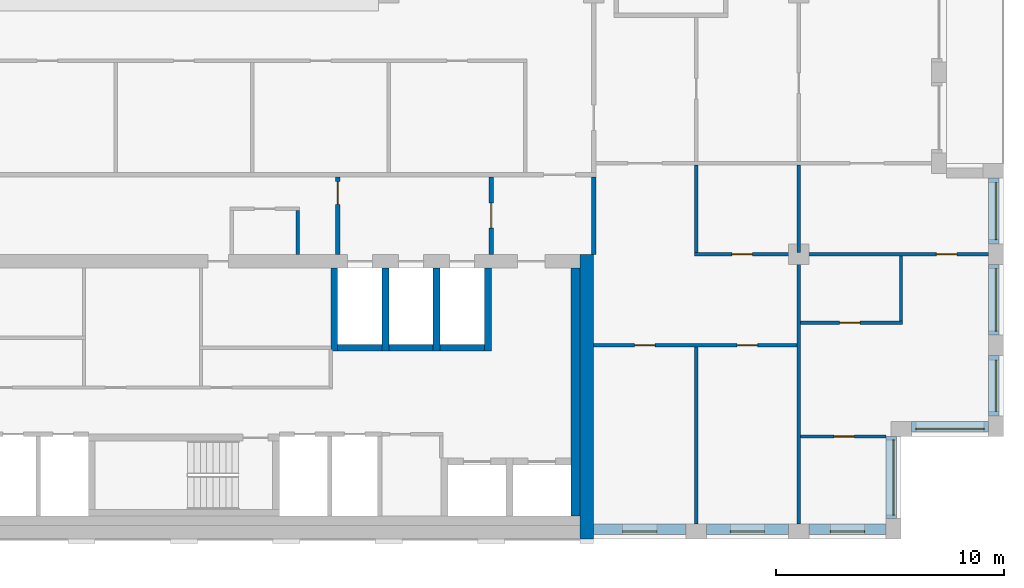
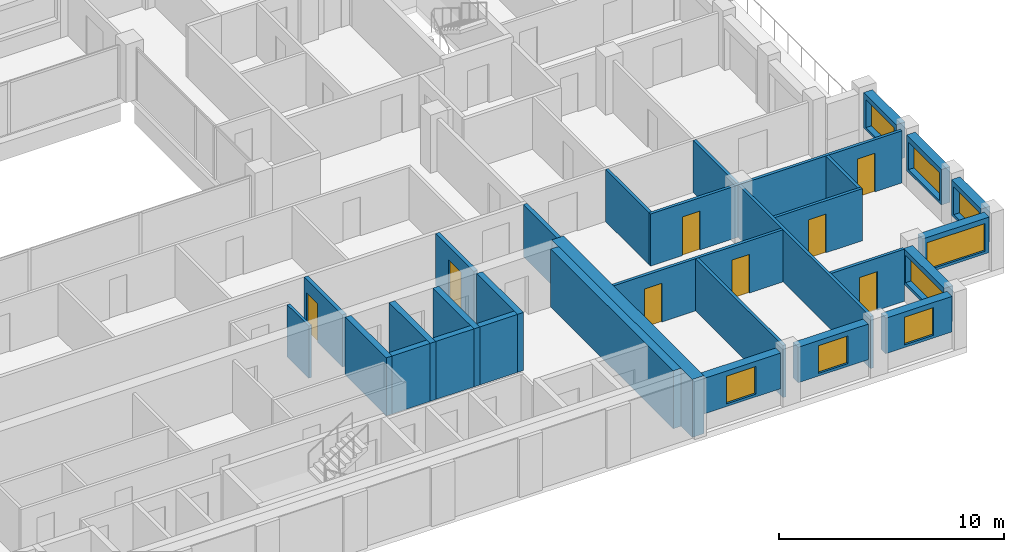
# One storey, part 11 of 16: 30 walls, 8 doors, 8 windows, 16 openings.
"""IFC4 building model written with IfcOpenShell, lengths in metres."""

from ifc_helpers import new_model, si_unit, direction, frame, frame_2d, origin, place, context, subcontext, project, spatial, rectangle, extrude, material, layer, layer_set, type_object, element, fill, save


model = new_model("IFC4")

# Units and contexts
model_context = context("Model", 3, precision=1e-05, world=origin(), true_north=direction((0.0, 1.0)))
body_context = subcontext(model_context, "Body", "Model", "MODEL_VIEW")
ifc_project = project(units=[si_unit("LENGTHUNIT", "METRE"), si_unit("AREAUNIT", "SQUARE_METRE"), si_unit("VOLUMEUNIT", "CUBIC_METRE"), si_unit("PLANEANGLEUNIT", "RADIAN"), si_unit("MASSUNIT", "GRAM", prefix="KILO")], contexts=[model_context])

# Site, building, storey
site_placement = place(None, origin())
site = spatial("IfcSite", under=ifc_project, at=site_placement, CompositionType="ELEMENT")
building_placement = place(site_placement, origin())
building = spatial("IfcBuilding", under=site, at=building_placement, Name="Brigalow Station Residences", CompositionType="ELEMENT")
storey_placement = place(building_placement, frame((0.0, 0.0, 198.0)))
storey = spatial("IfcBuildingStorey", under=building, at=storey_placement, Name="L56", CompositionType="ELEMENT", Elevation=198.0)

# Wall, opening, window
ifc_material_1 = material(Name="Clay brick masonry", Category="masonry")
ifc_layer_1 = layer(ifc_material_1, 0.449951171875)
ifc_layer_set_1 = layer_set([ifc_layer_1], Name="BRICK INFILL WALL 450")
wall_type_1 = type_object("IfcWallType", Name="BRICK INFILL WALL 450", PredefinedType="SOLIDWALL", material=ifc_layer_set_1)
wall_1_placement = place(storey_placement, frame((54.0, 0.425048828125, 0.89990234375), z_axis=(0.0, 0.0, 1.0), x_axis=(1.0, 0.0, 0.0)))
wall_1 = element("IfcWall", 1, at=wall_1_placement, inside=storey, type_object=wall_type_1, Name="L56/ewall/W-L56-3", PredefinedType="SOLIDWALL", context=body_context, shape_type="SweptSolid", body=[
    extrude(rectangle(XDim=4.050048828125, YDim=0.449951171875, at=frame_2d((2.02490234375, 0.0))), origin(), (0.0, 0.0, 1.0), 1.93017578125),
])
opening_1_placement = place(wall_1_placement, frame((1.27490234375, 0.0, 0.14990234375)))
opening_1 = element("IfcOpeningElement", 2, at=opening_1_placement, cuts=wall_1, Name="Opening WT-1", PredefinedType="OPENING", context=body_context, shape_type="SweptSolid", body=[
    extrude(rectangle(XDim=1.5, YDim=1.5, at=frame_2d((0.75, 0.75))), frame((0.0, 0.23486328125, 0.0), z_axis=(0.0, -1.0, 0.0), x_axis=(1.0, 0.0, 0.0)), (0.0, 0.0, 1.0), 0.469970703125),
])
ifc_material_2 = material(Name="Anodised aluminium frame with double glazing", Category="aluminium")
window_type_1 = type_object("IfcWindowType", Name="WINDOW 1500x1500", PartitioningType="SINGLE_PANEL", PredefinedType="WINDOW", material=ifc_material_2)
window_1_placement = place(opening_1_placement, origin())
window_1 = element("IfcWindow", 3, at=window_1_placement, inside=storey, type_object=window_type_1, Name="L56/window/W-L56-3", OverallHeight=1.5, OverallWidth=1.5, PartitioningType="SINGLE_PANEL", PredefinedType="WINDOW", context=body_context, shape_type="SweptSolid", body=[
    extrude(rectangle(XDim=1.5, YDim=1.5, at=frame_2d((0.75, 0.75))), frame((0.0, -0.06494140625, 0.0), z_axis=(0.0, -1.0, 0.0), x_axis=(1.0, 0.0, 0.0)), (0.0, 0.0, 1.0), 0.06005859375),
])
fill(opening_1, window_1)

wall_2_placement = place(storey_placement, frame((58.949951171875, 0.425048828125, 0.89990234375), z_axis=(0.0, 0.0, 1.0), x_axis=(1.0, 0.0, 0.0)))
wall_2 = element("IfcWall", 4, at=wall_2_placement, inside=storey, type_object=wall_type_1, Name="L56/ewall/W-L56-4", PredefinedType="SOLIDWALL", context=body_context, shape_type="SweptSolid", body=[
    extrude(rectangle(XDim=3.60009765625, YDim=0.449951171875, at=frame_2d((1.800048828125, 0.0))), origin(), (0.0, 0.0, 1.0), 1.93017578125),
])
opening_2_placement = place(wall_2_placement, frame((1.050048828125, 0.0, 0.14990234375)))
opening_2 = element("IfcOpeningElement", 5, at=opening_2_placement, cuts=wall_2, Name="Opening WT-1", PredefinedType="OPENING", context=body_context, shape_type="SweptSolid", body=[
    extrude(rectangle(XDim=1.5, YDim=1.5, at=frame_2d((0.75, 0.75))), frame((0.0, 0.23486328125, 0.0), z_axis=(0.0, -1.0, 0.0), x_axis=(1.0, 0.0, 0.0)), (0.0, 0.0, 1.0), 0.469970703125),
])
window_2_placement = place(opening_2_placement, origin())
window_2 = element("IfcWindow", 6, at=window_2_placement, inside=storey, type_object=window_type_1, Name="L56/window/W-L56-4", OverallHeight=1.5, OverallWidth=1.5, PartitioningType="SINGLE_PANEL", PredefinedType="WINDOW", context=body_context, shape_type="SweptSolid", body=[
    extrude(rectangle(XDim=1.5, YDim=1.5, at=frame_2d((0.75, 0.75))), frame((0.0, -0.06494140625, 0.0), z_axis=(0.0, -1.0, 0.0), x_axis=(1.0, 0.0, 0.0)), (0.0, 0.0, 1.0), 0.06005859375),
])
fill(opening_2, window_2)

wall_3_placement = place(storey_placement, frame((63.449951171875, 0.425048828125, 0.89990234375), z_axis=(0.0, 0.0, 1.0), x_axis=(1.0, 0.0, 0.0)))
wall_3 = element("IfcWall", 7, at=wall_3_placement, inside=storey, type_object=wall_type_1, Name="L56/ewall/W-L56-5", PredefinedType="SOLIDWALL", context=body_context, shape_type="SweptSolid", body=[
    extrude(rectangle(XDim=3.400146484375, YDim=0.449951171875, at=frame_2d((1.7001953125, 0.0))), origin(), (0.0, 0.0, 1.0), 1.93017578125),
])
opening_3_placement = place(wall_3_placement, frame((0.949951171875, 0.0, 0.14990234375)))
opening_3 = element("IfcOpeningElement", 8, at=opening_3_placement, cuts=wall_3, Name="Opening WT-1", PredefinedType="OPENING", context=body_context, shape_type="SweptSolid", body=[
    extrude(rectangle(XDim=1.5, YDim=1.5, at=frame_2d((0.75, 0.75))), frame((0.0, 0.23486328125, 0.0), z_axis=(0.0, -1.0, 0.0), x_axis=(1.0, 0.0, 0.0)), (0.0, 0.0, 1.0), 0.469970703125),
])
window_3_placement = place(opening_3_placement, origin())
window_3 = element("IfcWindow", 9, at=window_3_placement, inside=storey, type_object=window_type_1, Name="L56/window/W-L56-5", OverallHeight=1.5, OverallWidth=1.5, PartitioningType="SINGLE_PANEL", PredefinedType="WINDOW", context=body_context, shape_type="SweptSolid", body=[
    extrude(rectangle(XDim=1.5, YDim=1.5, at=frame_2d((0.75, 0.75))), frame((0.0, -0.06494140625, 0.0), z_axis=(0.0, -1.0, 0.0), x_axis=(1.0, 0.0, 0.0)), (0.0, 0.0, 1.0), 0.06005859375),
])
fill(opening_3, window_3)

wall_4_placement = place(storey_placement, frame((67.074951171875, 0.89990234375, 0.89990234375), z_axis=(0.0, 0.0, 1.0), x_axis=(0.0, 1.0, 0.0)))
wall_4 = element("IfcWall", 10, at=wall_4_placement, inside=storey, type_object=wall_type_1, Name="L56/ewall/W-L56-6", PredefinedType="SOLIDWALL", context=body_context, shape_type="SweptSolid", body=[
    extrude(rectangle(XDim=3.60009765625, YDim=0.449951171875, at=frame_2d((1.800048828125, 0.0))), origin(), (0.0, 0.0, 1.0), 1.93017578125),
])
opening_4_placement = place(wall_4_placement, frame((0.14990234375, 0.0, 0.14990234375)))
opening_4 = element("IfcOpeningElement", 11, at=opening_4_placement, cuts=wall_4, Name="Opening WT-10", PredefinedType="OPENING", context=body_context, shape_type="SweptSolid", body=[
    extrude(rectangle(XDim=3.300048828125, YDim=1.5, at=frame_2d((1.64990234375, 0.75))), frame((0.0, 0.23486328125, 0.0), z_axis=(0.0, -1.0, 0.0), x_axis=(1.0, 0.0, 0.0)), (0.0, 0.0, 1.0), 0.469970703125),
])
ifc_material_3 = material(Name="Anodised aluminium frame with double glazing", Category="aluminium")
window_type_2 = type_object("IfcWindowType", Name="WINDOW 3300x1500", PartitioningType="SINGLE_PANEL", PredefinedType="WINDOW", material=ifc_material_3)
window_4_placement = place(opening_4_placement, origin())
window_4 = element("IfcWindow", 12, at=window_4_placement, inside=storey, type_object=window_type_2, Name="L56/window/W-L56-6", OverallHeight=1.5, OverallWidth=3.300048828125, PartitioningType="SINGLE_PANEL", PredefinedType="WINDOW", context=body_context, shape_type="SweptSolid", body=[
    extrude(rectangle(XDim=3.300048828125, YDim=1.5, at=frame_2d((1.64990234375, 0.75))), frame((0.0, -0.06494140625, 0.0), z_axis=(0.0, -1.0, 0.0), x_axis=(1.0, 0.0, 0.0)), (0.0, 0.0, 1.0), 0.06005859375),
])
fill(opening_4, window_4)

wall_5_placement = place(storey_placement, frame((67.949951171875, 4.925048828125, 0.89990234375), z_axis=(0.0, 0.0, 1.0), x_axis=(1.0, 0.0, 0.0)))
wall_5 = element("IfcWall", 13, at=wall_5_placement, inside=storey, type_object=wall_type_1, Name="L56/ewall/W-L56-7", PredefinedType="SOLIDWALL", context=body_context, shape_type="SweptSolid", body=[
    extrude(rectangle(XDim=3.400146484375, YDim=0.449951171875, at=frame_2d((1.7001953125, 0.0))), origin(), (0.0, 0.0, 1.0), 1.93017578125),
])
opening_5_placement = place(wall_5_placement, frame((0.199951171875, 0.0, 0.14990234375)))
opening_5 = element("IfcOpeningElement", 14, at=opening_5_placement, cuts=wall_5, Name="Opening WT-2", PredefinedType="OPENING", context=body_context, shape_type="SweptSolid", body=[
    extrude(rectangle(XDim=3.0, YDim=1.5, at=frame_2d((1.5, 0.75))), frame((0.0, 0.23486328125, 0.0), z_axis=(0.0, -1.0, 0.0), x_axis=(1.0, 0.0, 0.0)), (0.0, 0.0, 1.0), 0.469970703125),
])
ifc_material_4 = material(Name="Anodised aluminium frame with double glazing", Category="aluminium")
window_type_3 = type_object("IfcWindowType", Name="WINDOW 3000x1500", PartitioningType="SINGLE_PANEL", PredefinedType="WINDOW", material=ifc_material_4)
window_5_placement = place(opening_5_placement, origin())
window_5 = element("IfcWindow", 15, at=window_5_placement, inside=storey, type_object=window_type_3, Name="L56/window/W-L56-7", OverallHeight=1.5, OverallWidth=3.0, PartitioningType="SINGLE_PANEL", PredefinedType="WINDOW", context=body_context, shape_type="SweptSolid", body=[
    extrude(rectangle(XDim=3.0, YDim=1.5, at=frame_2d((1.5, 0.75))), frame((0.0, -0.06494140625, 0.0), z_axis=(0.0, -1.0, 0.0), x_axis=(1.0, 0.0, 0.0)), (0.0, 0.0, 1.0), 0.06005859375),
])
fill(opening_5, window_5)

wall_6_placement = place(storey_placement, frame((71.574951171875, 5.39990234375, 0.89990234375), z_axis=(0.0, 0.0, 1.0), x_axis=(0.0, 1.0, 0.0)))
wall_6 = element("IfcWall", 16, at=wall_6_placement, inside=storey, type_object=wall_type_1, Name="L56/ewall/W-L56-8", PredefinedType="SOLIDWALL", context=body_context, shape_type="SweptSolid", body=[
    extrude(rectangle(XDim=2.650146484375, YDim=0.449951171875, at=frame_2d((1.3251953125, 0.0))), origin(), (0.0, 0.0, 1.0), 1.93017578125),
])
opening_6_placement = place(wall_6_placement, frame((0.199951171875, 0.0, 0.14990234375)))
opening_6 = element("IfcOpeningElement", 17, at=opening_6_placement, cuts=wall_6, Name="Opening WT-6", PredefinedType="OPENING", context=body_context, shape_type="SweptSolid", body=[
    extrude(rectangle(XDim=2.25, YDim=1.5, at=frame_2d((1.125, 0.75))), frame((0.0, 0.23486328125, 0.0), z_axis=(0.0, -1.0, 0.0), x_axis=(1.0, 0.0, 0.0)), (0.0, 0.0, 1.0), 0.469970703125),
])
ifc_material_5 = material(Name="Anodised aluminium frame with double glazing", Category="aluminium")
window_type_4 = type_object("IfcWindowType", Name="WINDOW 2250x1500", PartitioningType="SINGLE_PANEL", PredefinedType="WINDOW", material=ifc_material_5)
window_6_placement = place(opening_6_placement, origin())
window_6 = element("IfcWindow", 18, at=window_6_placement, inside=storey, type_object=window_type_4, Name="L56/window/W-L56-8", OverallHeight=1.5, OverallWidth=2.25, PartitioningType="SINGLE_PANEL", PredefinedType="WINDOW", context=body_context, shape_type="SweptSolid", body=[
    extrude(rectangle(XDim=2.25, YDim=1.5, at=frame_2d((1.125, 0.75))), frame((0.0, -0.06494140625, 0.0), z_axis=(0.0, -1.0, 0.0), x_axis=(1.0, 0.0, 0.0)), (0.0, 0.0, 1.0), 0.06005859375),
])
fill(opening_6, window_6)

wall_7_placement = place(storey_placement, frame((71.574951171875, 8.949951171875, 0.89990234375), z_axis=(0.0, 0.0, 1.0), x_axis=(0.0, 1.0, 0.0)))
wall_7 = element("IfcWall", 19, at=wall_7_placement, inside=storey, type_object=wall_type_1, Name="L56/ewall/W-L56-9", PredefinedType="SOLIDWALL", context=body_context, shape_type="SweptSolid", body=[
    extrude(rectangle(XDim=3.10009765625, YDim=0.449951171875, at=frame_2d((1.550048828125, 0.0))), origin(), (0.0, 0.0, 1.0), 1.93017578125),
])
opening_7_placement = place(wall_7_placement, frame((0.175048828125, 0.0, 0.14990234375)))
opening_7 = element("IfcOpeningElement", 20, at=opening_7_placement, cuts=wall_7, Name="Opening WT-3", PredefinedType="OPENING", context=body_context, shape_type="SweptSolid", body=[
    extrude(rectangle(XDim=2.75, YDim=1.5, at=frame_2d((1.375, 0.75))), frame((0.0, 0.23486328125, 0.0), z_axis=(0.0, -1.0, 0.0), x_axis=(1.0, 0.0, 0.0)), (0.0, 0.0, 1.0), 0.469970703125),
])
ifc_material_6 = material(Name="Anodised aluminium frame with double glazing", Category="aluminium")
window_type_5 = type_object("IfcWindowType", Name="WINDOW 2750x1500", PartitioningType="SINGLE_PANEL", PredefinedType="WINDOW", material=ifc_material_6)
window_7_placement = place(opening_7_placement, origin())
window_7 = element("IfcWindow", 21, at=window_7_placement, inside=storey, type_object=window_type_5, Name="L56/window/W-L56-9", OverallHeight=1.5, OverallWidth=2.75, PartitioningType="SINGLE_PANEL", PredefinedType="WINDOW", context=body_context, shape_type="SweptSolid", body=[
    extrude(rectangle(XDim=2.75, YDim=1.5, at=frame_2d((1.375, 0.75))), frame((0.0, -0.06494140625, 0.0), z_axis=(0.0, -1.0, 0.0), x_axis=(1.0, 0.0, 0.0)), (0.0, 0.0, 1.0), 0.06005859375),
])
fill(opening_7, window_7)

wall_8_placement = place(storey_placement, frame((71.574951171875, 12.949951171875, 0.89990234375), z_axis=(0.0, 0.0, 1.0), x_axis=(0.0, 1.0, 0.0)))
wall_8 = element("IfcWall", 22, at=wall_8_placement, inside=storey, type_object=wall_type_1, Name="L56/ewall/W-L56-10", PredefinedType="SOLIDWALL", context=body_context, shape_type="SweptSolid", body=[
    extrude(rectangle(XDim=2.900146484375, YDim=0.449951171875, at=frame_2d((1.4501953125, 0.0))), origin(), (0.0, 0.0, 1.0), 1.93017578125),
])
opening_8_placement = place(wall_8_placement, frame((0.199951171875, 0.0, 0.14990234375)))
opening_8 = element("IfcOpeningElement", 23, at=opening_8_placement, cuts=wall_8, Name="Opening WT-5", PredefinedType="OPENING", context=body_context, shape_type="SweptSolid", body=[
    extrude(rectangle(XDim=2.5, YDim=1.5, at=frame_2d((1.25, 0.75))), frame((0.0, 0.23486328125, 0.0), z_axis=(0.0, -1.0, 0.0), x_axis=(1.0, 0.0, 0.0)), (0.0, 0.0, 1.0), 0.469970703125),
])
ifc_material_7 = material(Name="Anodised aluminium frame with double glazing", Category="aluminium")
window_type_6 = type_object("IfcWindowType", Name="WINDOW 2500x1500", PartitioningType="SINGLE_PANEL", PredefinedType="WINDOW", material=ifc_material_7)
window_8_placement = place(opening_8_placement, origin())
window_8 = element("IfcWindow", 24, at=window_8_placement, inside=storey, type_object=window_type_6, Name="L56/window/W-L56-10", OverallHeight=1.5, OverallWidth=2.5, PartitioningType="SINGLE_PANEL", PredefinedType="WINDOW", context=body_context, shape_type="SweptSolid", body=[
    extrude(rectangle(XDim=2.5, YDim=1.5, at=frame_2d((1.25, 0.75))), frame((0.0, -0.06494140625, 0.0), z_axis=(0.0, -1.0, 0.0), x_axis=(1.0, 0.0, 0.0)), (0.0, 0.0, 1.0), 0.06005859375),
])
fill(opening_8, window_8)

# Walls
ifc_material_8 = material(Name="Concrete C50", Category="concrete")
ifc_layer_2 = layer(ifc_material_8, 0.300048828125)
ifc_layer_set_2 = layer_set([ifc_layer_2], Name="CORE SHEAR WALL 300 C50")
wall_type_2 = type_object("IfcWallType", Name="CORE SHEAR WALL 300 C50", PredefinedType="SHEAR", material=ifc_layer_set_2)
wall_9_placement = place(storey_placement, frame((42.75, 8.39990234375, 0.0), z_axis=(0.0, 0.0, 1.0), x_axis=(1.0, 0.0, 0.0)))
element("IfcWall", 25, at=wall_9_placement, inside=storey, type_object=wall_type_2, Name="CORE WALL SH-FF1-S L56", PredefinedType="SHEAR", context=body_context, shape_type="SweptSolid", body=[
    extrude(rectangle(XDim=1.949951171875, YDim=0.300048828125, at=frame_2d((0.97509765625, 0.0))), origin(), (0.0, 0.0, 1.0), 3.14990234375),
])
wall_10_placement = place(storey_placement, frame((42.60009765625, 8.25, 0.0), z_axis=(0.0, 0.0, 1.0), x_axis=(0.0, 1.0, 0.0)))
element("IfcWall", 26, at=wall_10_placement, inside=storey, type_object=wall_type_2, Name="CORE WALL SH-FF1-W L56", PredefinedType="SHEAR", context=body_context, shape_type="SweptSolid", body=[
    extrude(rectangle(XDim=3.64990234375, YDim=0.300048828125, at=frame_2d((1.824951171875, 0.0))), origin(), (0.0, 0.0, 1.0), 3.14990234375),
])
wall_11_placement = place(storey_placement, frame((45.0, 8.39990234375, 0.0), z_axis=(0.0, 0.0, 1.0), x_axis=(1.0, 0.0, 0.0)))
element("IfcWall", 27, at=wall_11_placement, inside=storey, type_object=wall_type_2, Name="CORE WALL SH-FF2-S L56", PredefinedType="SHEAR", context=body_context, shape_type="SweptSolid", body=[
    extrude(rectangle(XDim=1.949951171875, YDim=0.300048828125, at=frame_2d((0.97509765625, 0.0))), origin(), (0.0, 0.0, 1.0), 3.14990234375),
])
wall_12_placement = place(storey_placement, frame((44.85009765625, 8.25, 0.0), z_axis=(0.0, 0.0, 1.0), x_axis=(0.0, 1.0, 0.0)))
element("IfcWall", 28, at=wall_12_placement, inside=storey, type_object=wall_type_2, Name="CORE WALL SH-FF2-W L56", PredefinedType="SHEAR", context=body_context, shape_type="SweptSolid", body=[
    extrude(rectangle(XDim=3.64990234375, YDim=0.300048828125, at=frame_2d((1.824951171875, 0.0))), origin(), (0.0, 0.0, 1.0), 3.14990234375),
])
wall_13_placement = place(storey_placement, frame((47.25, 8.39990234375, 0.0), z_axis=(0.0, 0.0, 1.0), x_axis=(1.0, 0.0, 0.0)))
element("IfcWall", 29, at=wall_13_placement, inside=storey, type_object=wall_type_2, Name="CORE WALL SH-SL1-S L56", PredefinedType="SHEAR", context=body_context, shape_type="SweptSolid", body=[
    extrude(rectangle(XDim=1.949951171875, YDim=0.300048828125, at=frame_2d((0.97509765625, 0.0))), origin(), (0.0, 0.0, 1.0), 3.14990234375),
])
for number, where, z_axis, x_axis, name in (
    (30, (47.10009765625, 8.25, 0.0), (0.0, 0.0, 1.0), (0.0, 1.0, 0.0), "CORE WALL SH-SL1-W L56"),
    (31, (49.35009765625, 8.25, 0.0), (0.0, 0.0, 1.0), (0.0, 1.0, 0.0), "CORE WALL SH-SL1-E L56"),
):
    element("IfcWall", number, at=place(storey_placement, frame(where, z_axis=z_axis, x_axis=x_axis)), inside=storey, type_object=wall_type_2, Name=name, PredefinedType="SHEAR", context=body_context, shape_type="SweptSolid", body=[
        extrude(rectangle(XDim=3.64990234375, YDim=0.300048828125, at=frame_2d((1.824951171875, 0.0))), origin(), (0.0, 0.0, 1.0), 3.14990234375),
    ])
ifc_material_9 = material(Name="Concrete C50", Category="concrete")
ifc_layer_3 = layer(ifc_material_9, 0.39990234375)
ifc_layer_set_3 = layer_set([ifc_layer_3], Name="CORE SHEAR WALL 400 C50")
wall_type_3 = type_object("IfcWallType", Name="CORE SHEAR WALL 400 C50", PredefinedType="SHEAR", material=ifc_layer_set_3)
wall_14_placement = place(storey_placement, frame((53.199951171875, 1.0, 0.0), z_axis=(0.0, 0.0, 1.0), x_axis=(0.0, 1.0, 0.0)))
element("IfcWall", 32, at=wall_14_placement, inside=storey, type_object=wall_type_3, Name="CORE WALL LIN-E L56", PredefinedType="SHEAR", context=body_context, shape_type="SweptSolid", body=[
    extrude(rectangle(XDim=10.89990234375, YDim=0.39990234375, at=frame_2d((5.449951171875, 0.0))), origin(), (0.0, 0.0, 1.0), 3.14990234375),
])
ifc_material_10 = material(Name="Concrete C50", Category="concrete")
ifc_layer_4 = layer(ifc_material_10, 0.60009765625)
ifc_layer_set_4 = layer_set([ifc_layer_4], Name="CORE SHEAR WALL 600 C50")
wall_type_4 = type_object("IfcWallType", Name="CORE SHEAR WALL 600 C50", PredefinedType="SHEAR", material=ifc_layer_set_4)
wall_15_placement = place(storey_placement, frame((53.699951171875, 0.0, 0.0), z_axis=(0.0, 0.0, 1.0), x_axis=(0.0, 1.0, 0.0)))
element("IfcWall", 33, at=wall_15_placement, inside=storey, type_object=wall_type_4, Name="CORE WALL OUT-E L56", PredefinedType="SHEAR", context=body_context, shape_type="SweptSolid", body=[
    extrude(rectangle(XDim=12.5, YDim=0.60009765625, at=frame_2d((6.25, 0.0))), origin(), (0.0, 0.0, 1.0), 3.14990234375),
])

# Wall, opening, door
ifc_material_11 = material(Name="Concrete blockwork", Category="masonry")
ifc_layer_5 = layer(ifc_material_11, 0.199951171875)
ifc_layer_set_5 = layer_set([ifc_layer_5], Name="FIRE RATED CORE PARTITION 200")
wall_type_5 = type_object("IfcWallType", Name="FIRE RATED CORE PARTITION 200", PredefinedType="PARTITIONING", material=ifc_layer_set_5)
wall_16_placement = place(storey_placement, frame((42.75, 12.5, 0.0), z_axis=(0.0, 0.0, 1.0), x_axis=(0.0, 1.0, 0.0)))
wall_16 = element("IfcWall", 34, at=wall_16_placement, inside=storey, type_object=wall_type_5, Name="PW-5014", PredefinedType="PARTITIONING", context=body_context, shape_type="SweptSolid", body=[
    extrude(rectangle(XDim=3.39990234375, YDim=0.199951171875, at=frame_2d((1.699951171875, 0.0))), origin(), (0.0, 0.0, 1.0), 2.830078125),
])
opening_9_placement = place(wall_16_placement, frame((2.199951171875, 0.0, 0.0)))
opening_9 = element("IfcOpeningElement", 35, at=opening_9_placement, cuts=wall_16, Name="Opening D-5013", PredefinedType="OPENING", context=body_context, shape_type="SweptSolid", body=[
    extrude(rectangle(XDim=1.0, YDim=2.10009765625, at=frame_2d((0.5, 1.050048828125))), frame((0.0, 0.10986328125, 0.0), z_axis=(0.0, -1.0, 0.0), x_axis=(1.0, 0.0, 0.0)), (0.0, 0.0, 1.0), 0.219970703125),
])
ifc_material_12 = material(Name="Steel fire door leaf in steel frame", Category="steel")
door_type_1 = type_object("IfcDoorType", Name="LOBBY DOOR 1000 x 2100 FD60S", OperationType="SINGLE_SWING_LEFT", PredefinedType="DOOR", material=ifc_material_12)
door_1_placement = place(opening_9_placement, origin())
door_1 = element("IfcDoor", 36, at=door_1_placement, inside=storey, type_object=door_type_1, Name="D-5013", OperationType="SINGLE_SWING_RIGHT", OverallHeight=2.10009765625, OverallWidth=1.0, PredefinedType="DOOR", context=body_context, shape_type="SweptSolid", body=[
    extrude(rectangle(XDim=1.0, YDim=2.10009765625, at=frame_2d((0.5, 1.050048828125))), frame((0.0, 0.02490234375, 0.0), z_axis=(0.0, -1.0, 0.0), x_axis=(1.0, 0.0, 0.0)), (0.0, 0.0, 1.0), 0.050048828125),
])
fill(opening_9, door_1)

wall_17_placement = place(storey_placement, frame((49.5, 12.5, 0.0), z_axis=(0.0, 0.0, 1.0), x_axis=(0.0, 1.0, 0.0)))
wall_17 = element("IfcWall", 37, at=wall_17_placement, inside=storey, type_object=wall_type_5, Name="PW-5015", PredefinedType="PARTITIONING", context=body_context, shape_type="SweptSolid", body=[
    extrude(rectangle(XDim=3.39990234375, YDim=0.199951171875, at=frame_2d((1.699951171875, 0.0))), origin(), (0.0, 0.0, 1.0), 2.830078125),
])
opening_10_placement = place(wall_17_placement, frame((1.14990234375, 0.0, 0.0)))
opening_10 = element("IfcOpeningElement", 38, at=opening_10_placement, cuts=wall_17, Name="Opening D-5014", PredefinedType="OPENING", context=body_context, shape_type="SweptSolid", body=[
    extrude(rectangle(XDim=1.10009765625, YDim=2.10009765625, at=frame_2d((0.550048828125, 1.050048828125))), frame((0.0, 0.10986328125, 0.0), z_axis=(0.0, -1.0, 0.0), x_axis=(1.0, 0.0, 0.0)), (0.0, 0.0, 1.0), 0.219970703125),
])
ifc_material_13 = material(Name="Steel fire door leaf in steel frame", Category="steel")
door_type_2 = type_object("IfcDoorType", Name="LOBBY DOOR 1100 x 2100 FD60S", OperationType="SINGLE_SWING_LEFT", PredefinedType="DOOR", material=ifc_material_13)
door_2_placement = place(opening_10_placement, origin())
door_2 = element("IfcDoor", 39, at=door_2_placement, inside=storey, type_object=door_type_2, Name="D-5014", OperationType="SINGLE_SWING_LEFT", OverallHeight=2.10009765625, OverallWidth=1.10009765625, PredefinedType="DOOR", context=body_context, shape_type="SweptSolid", body=[
    extrude(rectangle(XDim=1.10009765625, YDim=2.10009765625, at=frame_2d((0.550048828125, 1.050048828125))), frame((0.0, 0.02490234375, 0.0), z_axis=(0.0, -1.0, 0.0), x_axis=(1.0, 0.0, 0.0)), (0.0, 0.0, 1.0), 0.050048828125),
])
fill(opening_10, door_2)

# Wall
wall_18_placement = place(storey_placement, frame((54.0, 12.5, 0.0), z_axis=(0.0, 0.0, 1.0), x_axis=(0.0, 1.0, 0.0)))
element("IfcWall", 40, at=wall_18_placement, inside=storey, type_object=wall_type_5, Name="PW-5016", PredefinedType="PARTITIONING", context=body_context, shape_type="SweptSolid", body=[
    extrude(rectangle(XDim=3.39990234375, YDim=0.199951171875, at=frame_2d((1.699951171875, 0.0))), origin(), (0.0, 0.0, 1.0), 2.830078125),
])

# Wall, openings, doors
ifc_material_14 = material(Name="Plasterboard on steel stud partition", Category="steel")
ifc_layer_6 = layer(ifc_material_14, 0.14990234375)
ifc_layer_set_6 = layer_set([ifc_layer_6], Name="FLAT PARTITION 150")
wall_type_6 = type_object("IfcWallType", Name="FLAT PARTITION 150", PredefinedType="PARTITIONING", material=ifc_layer_set_6)
wall_19_placement = place(storey_placement, frame((58.425048828125, 12.5, 0.0), z_axis=(0.0, 0.0, 1.0), x_axis=(1.0, 0.0, 0.0)))
wall_19 = element("IfcWall", 41, at=wall_19_placement, inside=storey, type_object=wall_type_6, Name="PW-4A13", PredefinedType="PARTITIONING", context=body_context, shape_type="SweptSolid", body=[
    extrude(rectangle(XDim=12.925048828125, YDim=0.14990234375, at=frame_2d((6.46240234375, 0.0))), origin(), (0.0, 0.0, 1.0), 2.830078125),
])
opening_11_placement = place(wall_19_placement, frame((1.64990234375, 0.0, 0.0)))
opening_11 = element("IfcOpeningElement", 42, at=opening_11_placement, cuts=wall_19, Name="Opening D-4A36", PredefinedType="OPENING", context=body_context, shape_type="SweptSolid", body=[
    extrude(rectangle(XDim=0.89990234375, YDim=2.10009765625, at=frame_2d((0.449951171875, 1.050048828125))), frame((0.0, 0.0849609375, 0.0), z_axis=(0.0, -1.0, 0.0), x_axis=(1.0, 0.0, 0.0)), (0.0, 0.0, 1.0), 0.169921875),
])
opening_12_placement = place(wall_19_placement, frame((10.625, 0.0, 0.0)))
opening_12 = element("IfcOpeningElement", 43, at=opening_12_placement, cuts=wall_19, Name="Opening D-4A37", PredefinedType="OPENING", context=body_context, shape_type="SweptSolid", body=[
    extrude(rectangle(XDim=0.89990234375, YDim=2.10009765625, at=frame_2d((0.449951171875, 1.050048828125))), frame((0.0, 0.0849609375, 0.0), z_axis=(0.0, -1.0, 0.0), x_axis=(1.0, 0.0, 0.0)), (0.0, 0.0, 1.0), 0.169921875),
])
ifc_material_15 = material(Name="Solid-core timber door leaf", Category="wood")
door_type_3 = type_object("IfcDoorType", Name="INTERNAL DOOR 900 x 2100", OperationType="SINGLE_SWING_LEFT", PredefinedType="DOOR", material=ifc_material_15)
door_3_placement = place(opening_11_placement, origin())
door_3 = element("IfcDoor", 44, at=door_3_placement, inside=storey, type_object=door_type_3, Name="D-4A36", OperationType="SINGLE_SWING_LEFT", OverallHeight=2.10009765625, OverallWidth=0.89990234375, PredefinedType="DOOR", context=body_context, shape_type="SweptSolid", body=[
    extrude(rectangle(XDim=0.89990234375, YDim=2.10009765625, at=frame_2d((0.449951171875, 1.050048828125))), frame((0.0, 0.02490234375, 0.0), z_axis=(0.0, -1.0, 0.0), x_axis=(1.0, 0.0, 0.0)), (0.0, 0.0, 1.0), 0.050048828125),
])
fill(opening_11, door_3)
door_4_placement = place(opening_12_placement, origin())
door_4 = element("IfcDoor", 45, at=door_4_placement, inside=storey, type_object=door_type_3, Name="D-4A37", OperationType="SINGLE_SWING_RIGHT", OverallHeight=2.10009765625, OverallWidth=0.89990234375, PredefinedType="DOOR", context=body_context, shape_type="SweptSolid", body=[
    extrude(rectangle(XDim=0.89990234375, YDim=2.10009765625, at=frame_2d((0.449951171875, 1.050048828125))), frame((0.0, 0.02490234375, 0.0), z_axis=(0.0, -1.0, 0.0), x_axis=(1.0, 0.0, 0.0)), (0.0, 0.0, 1.0), 0.050048828125),
])
fill(opening_12, door_4)

wall_20_placement = place(storey_placement, frame((54.0, 8.5, 0.0), z_axis=(0.0, 0.0, 1.0), x_axis=(1.0, 0.0, 0.0)))
wall_20 = element("IfcWall", 46, at=wall_20_placement, inside=storey, type_object=wall_type_6, Name="PW-4A15", PredefinedType="PARTITIONING", context=body_context, shape_type="SweptSolid", body=[
    extrude(rectangle(XDim=8.925048828125, YDim=0.14990234375, at=frame_2d((4.46240234375, 0.0))), origin(), (0.0, 0.0, 1.0), 2.830078125),
])
opening_13_placement = place(wall_20_placement, frame((1.800048828125, 0.0, 0.0)))
opening_13 = element("IfcOpeningElement", 47, at=opening_13_placement, cuts=wall_20, Name="Opening D-4A34", PredefinedType="OPENING", context=body_context, shape_type="SweptSolid", body=[
    extrude(rectangle(XDim=0.89990234375, YDim=2.10009765625, at=frame_2d((0.449951171875, 1.050048828125))), frame((0.0, 0.0849609375, 0.0), z_axis=(0.0, -1.0, 0.0), x_axis=(1.0, 0.0, 0.0)), (0.0, 0.0, 1.0), 0.169921875),
])
opening_14_placement = place(wall_20_placement, frame((6.300048828125, 0.0, 0.0)))
opening_14 = element("IfcOpeningElement", 48, at=opening_14_placement, cuts=wall_20, Name="Opening D-4A35", PredefinedType="OPENING", context=body_context, shape_type="SweptSolid", body=[
    extrude(rectangle(XDim=0.89990234375, YDim=2.10009765625, at=frame_2d((0.449951171875, 1.050048828125))), frame((0.0, 0.0849609375, 0.0), z_axis=(0.0, -1.0, 0.0), x_axis=(1.0, 0.0, 0.0)), (0.0, 0.0, 1.0), 0.169921875),
])
door_5_placement = place(opening_13_placement, frame((0.89990234375, 0.0, 0.0), z_axis=(0.0, 0.0, 1.0), x_axis=(-1.0, 0.0, 0.0)))
door_5 = element("IfcDoor", 49, at=door_5_placement, inside=storey, type_object=door_type_3, Name="D-4A34", OperationType="SINGLE_SWING_LEFT", OverallHeight=2.10009765625, OverallWidth=0.89990234375, PredefinedType="DOOR", context=body_context, shape_type="SweptSolid", body=[
    extrude(rectangle(XDim=0.89990234375, YDim=2.10009765625, at=frame_2d((0.449951171875, 1.050048828125))), frame((0.0, 0.02490234375, 0.0), z_axis=(0.0, -1.0, 0.0), x_axis=(1.0, 0.0, 0.0)), (0.0, 0.0, 1.0), 0.050048828125),
])
fill(opening_13, door_5)
door_6_placement = place(opening_14_placement, frame((0.89990234375, 0.0, 0.0), z_axis=(0.0, 0.0, 1.0), x_axis=(-1.0, 0.0, 0.0)))
door_6 = element("IfcDoor", 50, at=door_6_placement, inside=storey, type_object=door_type_3, Name="D-4A35", OperationType="SINGLE_SWING_RIGHT", OverallHeight=2.10009765625, OverallWidth=0.89990234375, PredefinedType="DOOR", context=body_context, shape_type="SweptSolid", body=[
    extrude(rectangle(XDim=0.89990234375, YDim=2.10009765625, at=frame_2d((0.449951171875, 1.050048828125))), frame((0.0, 0.02490234375, 0.0), z_axis=(0.0, -1.0, 0.0), x_axis=(1.0, 0.0, 0.0)), (0.0, 0.0, 1.0), 0.050048828125),
])
fill(opening_14, door_6)

# Wall, opening, door
wall_21_placement = place(storey_placement, frame((63.074951171875, 4.5, 0.0), z_axis=(0.0, 0.0, 1.0), x_axis=(1.0, 0.0, 0.0)))
wall_21 = element("IfcWall", 51, at=wall_21_placement, inside=storey, type_object=wall_type_6, Name="PW-4A17", PredefinedType="PARTITIONING", context=body_context, shape_type="SweptSolid", body=[
    extrude(rectangle(XDim=3.775146484375, YDim=0.14990234375, at=frame_2d((1.8876953125, 0.0))), origin(), (0.0, 0.0, 1.0), 2.830078125),
])
opening_15_placement = place(wall_21_placement, frame((1.47509765625, 0.0, 0.0)))
opening_15 = element("IfcOpeningElement", 52, at=opening_15_placement, cuts=wall_21, Name="Opening D-4A38", PredefinedType="OPENING", context=body_context, shape_type="SweptSolid", body=[
    extrude(rectangle(XDim=0.89990234375, YDim=2.10009765625, at=frame_2d((0.449951171875, 1.050048828125))), frame((0.0, 0.0849609375, 0.0), z_axis=(0.0, -1.0, 0.0), x_axis=(1.0, 0.0, 0.0)), (0.0, 0.0, 1.0), 0.169921875),
])
door_7_placement = place(opening_15_placement, frame((0.89990234375, 0.0, 0.0), z_axis=(0.0, 0.0, 1.0), x_axis=(-1.0, 0.0, 0.0)))
door_7 = element("IfcDoor", 53, at=door_7_placement, inside=storey, type_object=door_type_3, Name="D-4A38", OperationType="SINGLE_SWING_LEFT", OverallHeight=2.10009765625, OverallWidth=0.89990234375, PredefinedType="DOOR", context=body_context, shape_type="SweptSolid", body=[
    extrude(rectangle(XDim=0.89990234375, YDim=2.10009765625, at=frame_2d((0.449951171875, 1.050048828125))), frame((0.0, 0.02490234375, 0.0), z_axis=(0.0, -1.0, 0.0), x_axis=(1.0, 0.0, 0.0)), (0.0, 0.0, 1.0), 0.050048828125),
])
fill(opening_15, door_7)

wall_22_placement = place(storey_placement, frame((63.074951171875, 9.5, 0.0), z_axis=(0.0, 0.0, 1.0), x_axis=(1.0, 0.0, 0.0)))
wall_22 = element("IfcWall", 54, at=wall_22_placement, inside=storey, type_object=wall_type_6, Name="PW-4A29", PredefinedType="PARTITIONING", context=body_context, shape_type="SweptSolid", body=[
    extrude(rectangle(XDim=4.5, YDim=0.14990234375, at=frame_2d((2.25, 0.0))), origin(), (0.0, 0.0, 1.0), 2.830078125),
])
opening_16_placement = place(wall_22_placement, frame((1.72509765625, 0.0, 0.0)))
opening_16 = element("IfcOpeningElement", 55, at=opening_16_placement, cuts=wall_22, Name="Opening D-4A39", PredefinedType="OPENING", context=body_context, shape_type="SweptSolid", body=[
    extrude(rectangle(XDim=0.89990234375, YDim=2.10009765625, at=frame_2d((0.449951171875, 1.050048828125))), frame((0.0, 0.0849609375, 0.0), z_axis=(0.0, -1.0, 0.0), x_axis=(1.0, 0.0, 0.0)), (0.0, 0.0, 1.0), 0.169921875),
])
door_8_placement = place(opening_16_placement, origin())
door_8 = element("IfcDoor", 56, at=door_8_placement, inside=storey, type_object=door_type_3, Name="D-4A39", OperationType="SINGLE_SWING_RIGHT", OverallHeight=2.10009765625, OverallWidth=0.89990234375, PredefinedType="DOOR", context=body_context, shape_type="SweptSolid", body=[
    extrude(rectangle(XDim=0.89990234375, YDim=2.10009765625, at=frame_2d((0.449951171875, 1.050048828125))), frame((0.0, 0.02490234375, 0.0), z_axis=(0.0, -1.0, 0.0), x_axis=(1.0, 0.0, 0.0)), (0.0, 0.0, 1.0), 0.050048828125),
])
fill(opening_16, door_8)

# Walls
wall_23_placement = place(storey_placement, frame((58.5, 0.64990234375, 0.0), z_axis=(0.0, 0.0, 1.0), x_axis=(0.0, 1.0, 0.0)))
element("IfcWall", 57, at=wall_23_placement, inside=storey, type_object=wall_type_6, Name="PW-4A53", PredefinedType="PARTITIONING", context=body_context, shape_type="SweptSolid", body=[
    extrude(rectangle(XDim=7.775146484375, YDim=0.14990234375, at=frame_2d((3.8876953125, 0.0))), origin(), (0.0, 0.0, 1.0), 2.830078125),
])
wall_24_placement = place(storey_placement, frame((58.5, 12.574951171875, 0.0), z_axis=(0.0, 0.0, 1.0), x_axis=(0.0, 1.0, 0.0)))
element("IfcWall", 58, at=wall_24_placement, inside=storey, type_object=wall_type_6, Name="PW-4A54", PredefinedType="PARTITIONING", context=body_context, shape_type="SweptSolid", body=[
    extrude(rectangle(XDim=3.85009765625, YDim=0.14990234375, at=frame_2d((1.925048828125, 0.0))), origin(), (0.0, 0.0, 1.0), 2.830078125),
])
wall_25_placement = place(storey_placement, frame((63.0, 0.64990234375, 0.0), z_axis=(0.0, 0.0, 1.0), x_axis=(0.0, 1.0, 0.0)))
element("IfcWall", 59, at=wall_25_placement, inside=storey, type_object=wall_type_6, Name="PW-4A57", PredefinedType="PARTITIONING", context=body_context, shape_type="SweptSolid", body=[
    extrude(rectangle(XDim=11.775146484375, YDim=0.14990234375, at=frame_2d((5.8876953125, 0.0))), origin(), (0.0, 0.0, 1.0), 2.830078125),
])
wall_26_placement = place(storey_placement, frame((63.0, 12.574951171875, 0.0), z_axis=(0.0, 0.0, 1.0), x_axis=(0.0, 1.0, 0.0)))
element("IfcWall", 60, at=wall_26_placement, inside=storey, type_object=wall_type_6, Name="PW-4A58", PredefinedType="PARTITIONING", context=body_context, shape_type="SweptSolid", body=[
    extrude(rectangle(XDim=3.85009765625, YDim=0.14990234375, at=frame_2d((1.925048828125, 0.0))), origin(), (0.0, 0.0, 1.0), 2.830078125),
])
wall_27_placement = place(storey_placement, frame((67.5, 9.574951171875, 0.0), z_axis=(0.0, 0.0, 1.0), x_axis=(0.0, 1.0, 0.0)))
element("IfcWall", 61, at=wall_27_placement, inside=storey, type_object=wall_type_6, Name="PW-4A62", PredefinedType="PARTITIONING", context=body_context, shape_type="SweptSolid", body=[
    extrude(rectangle(XDim=2.85009765625, YDim=0.14990234375, at=frame_2d((1.425048828125, 0.0))), origin(), (0.0, 0.0, 1.0), 2.830078125),
])
ifc_material_16 = material(Name="Plasterboard on steel studs", Category="steel")
ifc_layer_7 = layer(ifc_material_16, 0.14990234375)
ifc_layer_set_7 = layer_set([ifc_layer_7], Name="SERVICE ROOM PARTITION 150")
wall_type_7 = type_object("IfcWallType", Name="SERVICE ROOM PARTITION 150", PredefinedType="PARTITIONING", material=ifc_layer_set_7)
wall_28_placement = place(storey_placement, frame((41.0, 12.5, 0.0), z_axis=(0.0, 0.0, 1.0), x_axis=(0.0, 1.0, 0.0)))
element("IfcWall", 62, at=wall_28_placement, inside=storey, type_object=wall_type_7, Name="PW-5140", PredefinedType="PARTITIONING", context=body_context, shape_type="SweptSolid", body=[
    extrude(rectangle(XDim=1.925048828125, YDim=0.14990234375, at=frame_2d((0.96240234375, 0.0))), origin(), (0.0, 0.0, 1.0), 2.830078125),
])

save(model, "model.ifc")
